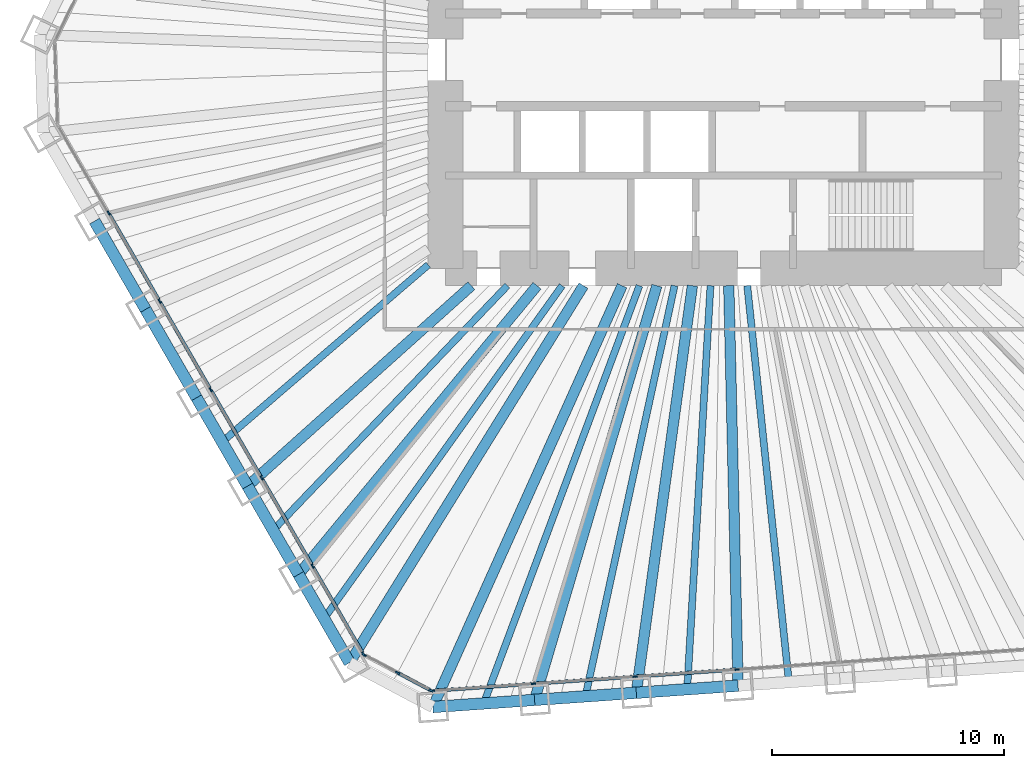
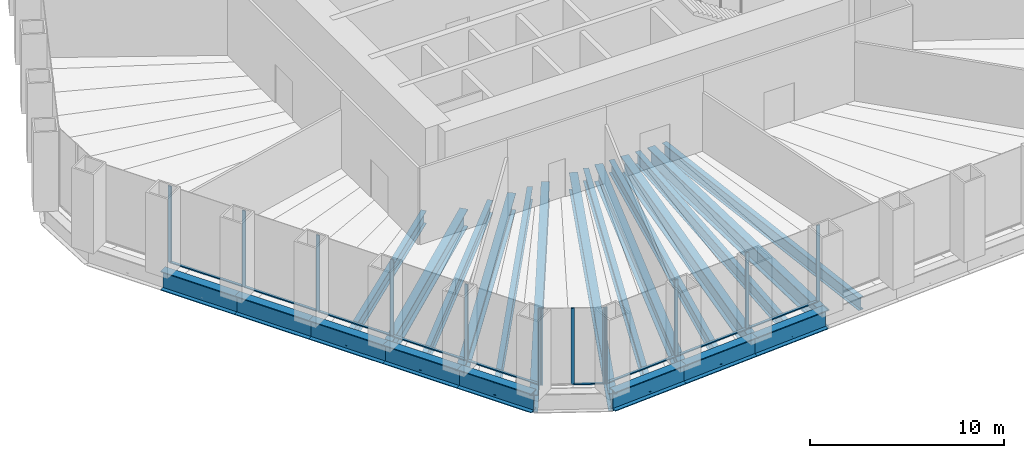
# One storey, part 2 of 13: 22 beams, 22 members, 3 elements without a shape of their own.
"""IFC4 building model written with IfcOpenShell, lengths in metres."""

from ifc_helpers import new_model, si_unit, direction, frame, origin, origin_2d, place, context, subcontext, project, spatial, rectangle, i_section, extrude, material, material_profile, profile_set, type_object, element, aggregate, save


model = new_model("IFC4")

# Units and contexts
model_context = context("Model", 3, precision=1e-05, world=origin(), true_north=direction((0.0, 1.0)))
body_context = subcontext(model_context, "Body", "Model", "MODEL_VIEW")
ifc_project = project(units=[si_unit("LENGTHUNIT", "METRE"), si_unit("AREAUNIT", "SQUARE_METRE"), si_unit("VOLUMEUNIT", "CUBIC_METRE"), si_unit("PLANEANGLEUNIT", "RADIAN"), si_unit("MASSUNIT", "GRAM", prefix="KILO")], contexts=[model_context])

# Site, building, storey
site_placement = place(None, origin())
site = spatial("IfcSite", under=ifc_project, at=site_placement, CompositionType="ELEMENT")
building_placement = place(site_placement, origin())
building = spatial("IfcBuilding", under=site, at=building_placement, Name="Qingtian Harvest Tower", CompositionType="ELEMENT")
storey_placement = place(building_placement, frame((0.0, 0.0, 72.0)))
storey = spatial("IfcBuildingStorey", under=building, at=storey_placement, Name="L14", CompositionType="ELEMENT", Elevation=72.0)

# Beams
ifc_material_1 = material(Name="Steel SM570MC", Category="steel")
ifc_material_profile_1 = material_profile(ifc_material_1, i_section(OverallWidth=0.449951171875, OverallDepth=1.10009765625, WebThickness=0.02197265625, FlangeThickness=0.044921875, at=origin_2d()), Name="H1100x450x22x45")
ifc_profile_set_1 = profile_set([ifc_material_profile_1], Name="Steel SM570MC")
beam_type_1 = type_object("IfcBeamType", Name="Corner floor beam FB8 H1100x450x22x45", PredefinedType="BEAM", material=ifc_profile_set_1)
beam_1_placement = place(storey_placement, frame((-12.552734375, -27.943603515625, -0.75), z_axis=(0.409769605538, 0.912189054077, 0.0), x_axis=(-0.912189054077, 0.409769605538, 0.0)))
element("IfcBeam", 1, at=beam_1_placement, inside=storey, type_object=beam_type_1, Name="Floor beam FB8 S6", PredefinedType="BEAM", context=body_context, shape_type="SweptSolid", body=[
    extrude(i_section(OverallWidth=0.449951171875, OverallDepth=1.10009765625, WebThickness=0.02197265625, FlangeThickness=0.044921875, at=origin_2d()), origin(), (0.0, 0.0, 1.0), 19.945068359375),
])
beam_2_placement = place(storey_placement, frame((-16.14697265625, -26.03271484375, -0.75), z_axis=(0.5270935495, 0.849807266429, 0.0), x_axis=(-0.849807266429, 0.5270935495, 0.0)))
element("IfcBeam", 2, at=beam_2_placement, inside=storey, type_object=beam_type_1, Name="Floor beam FB8 SW0", PredefinedType="BEAM", context=body_context, shape_type="SweptSolid", body=[
    extrude(i_section(OverallWidth=0.449951171875, OverallDepth=1.10009765625, WebThickness=0.02197265625, FlangeThickness=0.044921875, at=origin_2d()), origin(), (0.0, 0.0, 1.0), 19.160400390625),
])
ifc_material_2 = material(Name="Steel SM570MC", Category="steel")
ifc_material_profile_2 = material_profile(ifc_material_2, i_section(OverallWidth=0.449951171875, OverallDepth=1.10009765625, WebThickness=0.02197265625, FlangeThickness=0.044921875, at=origin_2d()), Name="H1100x450x22x45")
ifc_profile_set_2 = profile_set([ifc_material_profile_2], Name="Steel SM570MC")
beam_type_2 = type_object("IfcBeamType", Name="Floor beam FB1 H1100x450x22x45", PredefinedType="BEAM", material=ifc_profile_set_2)
beam_3_placement = place(storey_placement, frame((0.62890625, -27.02197265625, -0.75), z_axis=(-0.023274161941, 0.999729120005, 0.0), x_axis=(-0.999729120005, -0.023274161941, 0.0)))
element("IfcBeam", 3, at=beam_3_placement, inside=storey, type_object=beam_type_2, Name="Floor beam FB1 S3", PredefinedType="BEAM", context=body_context, shape_type="SweptSolid", body=[
    extrude(i_section(OverallWidth=0.449951171875, OverallDepth=1.10009765625, WebThickness=0.02197265625, FlangeThickness=0.044921875, at=origin_2d()), origin(), (0.0, 0.0, 1.0), 17.276611328125),
])
beam_4_placement = place(storey_placement, frame((-3.76513671875, -27.3291015625, -0.75), z_axis=(0.136480966577, 0.990642693287, 0.0), x_axis=(-0.990642693287, 0.136480966577, 0.0)))
element("IfcBeam", 4, at=beam_4_placement, inside=storey, type_object=beam_type_2, Name="Floor beam FB1 S4", PredefinedType="BEAM", context=body_context, shape_type="SweptSolid", body=[
    extrude(i_section(OverallWidth=0.449951171875, OverallDepth=1.10009765625, WebThickness=0.02197265625, FlangeThickness=0.044921875, at=origin_2d()), origin(), (0.0, 0.0, 1.0), 17.7451171875),
])
beam_5_placement = place(storey_placement, frame((-8.158935546875, -27.636474609375, -0.75), z_axis=(0.283142824758, 0.95907775534, 0.0), x_axis=(-0.95907775534, 0.283142824758, 0.0)))
element("IfcBeam", 5, at=beam_5_placement, inside=storey, type_object=beam_type_2, Name="Floor beam FB1 S5", PredefinedType="BEAM", context=body_context, shape_type="SweptSolid", body=[
    extrude(i_section(OverallWidth=0.449951171875, OverallDepth=1.10009765625, WebThickness=0.02197265625, FlangeThickness=0.044921875, at=origin_2d()), origin(), (0.0, 0.0, 1.0), 18.649658203125),
])
beam_6_placement = place(storey_placement, frame((-18.349365234375, -22.21826171875, -0.75), z_axis=(0.636780387972, 0.771045224026, 0.0), x_axis=(-0.771045224026, 0.636780387972, 0.0)))
element("IfcBeam", 6, at=beam_6_placement, inside=storey, type_object=beam_type_2, Name="Floor beam FB1 SW1", PredefinedType="BEAM", context=body_context, shape_type="SweptSolid", body=[
    extrude(i_section(OverallWidth=0.449951171875, OverallDepth=1.10009765625, WebThickness=0.02197265625, FlangeThickness=0.044921875, at=origin_2d()), origin(), (0.0, 0.0, 1.0), 16.170654296875),
])
beam_7_placement = place(storey_placement, frame((-20.551513671875, -18.403564453125, -0.75), z_axis=(0.744965104975, 0.667103434536, 0.0), x_axis=(-0.667103434536, 0.744965104975, 0.0)))
element("IfcBeam", 7, at=beam_7_placement, inside=storey, type_object=beam_type_2, Name="Floor beam FB1 SW2", PredefinedType="BEAM", context=body_context, shape_type="SweptSolid", body=[
    extrude(i_section(OverallWidth=0.449951171875, OverallDepth=1.10009765625, WebThickness=0.02197265625, FlangeThickness=0.044921875, at=origin_2d()), origin(), (0.0, 0.0, 1.0), 12.971923828125),
])
ifc_material_3 = material(Name="Steel SN490B", Category="steel")
ifc_material_profile_3 = material_profile(ifc_material_3, i_section(OverallWidth=0.300048828125, OverallDepth=0.800048828125, WebThickness=0.013916015625, FlangeThickness=0.02587890625, at=origin_2d()), Name="H800x300x14x26")
ifc_profile_set_3 = profile_set([ifc_material_profile_3], Name="Steel SN490B")
beam_type_3 = type_object("IfcBeamType", Name="Floor joist J1 H800x300x14x26", PredefinedType="JOIST", material=ifc_profile_set_3)
beam_8_placement = place(storey_placement, frame((2.82568359375, -26.868408203125, -0.60009765625), z_axis=(-0.104590278152, 0.99451539642, 0.0), x_axis=(-0.99451539642, -0.104590278152, 0.0)))
element("IfcBeam", 8, at=beam_8_placement, inside=storey, type_object=beam_type_3, Name="Floor joist J1 S2", PredefinedType="JOIST", context=body_context, shape_type="SweptSolid", body=[
    extrude(i_section(OverallWidth=0.300048828125, OverallDepth=0.800048828125, WebThickness=0.013916015625, FlangeThickness=0.02587890625, at=origin_2d()), origin(), (0.0, 0.0, 1.0), 17.212890625),
])
beam_9_placement = place(storey_placement, frame((-1.568115234375, -27.175537109375, -0.60009765625), z_axis=(0.057613424947, 0.998338967118, 0.0), x_axis=(-0.998338967118, 0.057613424947, 0.0)))
element("IfcBeam", 9, at=beam_9_placement, inside=storey, type_object=beam_type_3, Name="Floor joist J1 S3", PredefinedType="JOIST", context=body_context, shape_type="SweptSolid", body=[
    extrude(i_section(OverallWidth=0.300048828125, OverallDepth=0.800048828125, WebThickness=0.013916015625, FlangeThickness=0.02587890625, at=origin_2d()), origin(), (0.0, 0.0, 1.0), 17.45458984375),
])
beam_10_placement = place(storey_placement, frame((-5.9619140625, -27.48291015625, -0.60009765625), z_axis=(0.211992805661, 0.977271226604, 0.0), x_axis=(-0.977271226604, 0.211992805661, 0.0)))
element("IfcBeam", 10, at=beam_10_placement, inside=storey, type_object=beam_type_3, Name="Floor joist J1 S4", PredefinedType="JOIST", context=body_context, shape_type="SweptSolid", body=[
    extrude(i_section(OverallWidth=0.300048828125, OverallDepth=0.800048828125, WebThickness=0.013916015625, FlangeThickness=0.02587890625, at=origin_2d()), origin(), (0.0, 0.0, 1.0), 18.145263671875),
])
beam_11_placement = place(storey_placement, frame((-10.35595703125, -27.7900390625, -0.60009765625), z_axis=(0.349193741063, 0.937050548905, 0.0), x_axis=(-0.937050548905, 0.349193741063, 0.0)))
element("IfcBeam", 11, at=beam_11_placement, inside=storey, type_object=beam_type_3, Name="Floor joist J1 S5", PredefinedType="JOIST", context=body_context, shape_type="SweptSolid", body=[
    extrude(i_section(OverallWidth=0.300048828125, OverallDepth=0.800048828125, WebThickness=0.013916015625, FlangeThickness=0.02587890625, at=origin_2d()), origin(), (0.0, 0.0, 1.0), 19.251953125),
])
beam_12_placement = place(storey_placement, frame((-17.248046875, -24.12548828125, -0.60009765625), z_axis=(0.581580544546, 0.81348882611, 0.0), x_axis=(-0.81348882611, 0.581580544546, 0.0)))
element("IfcBeam", 12, at=beam_12_placement, inside=storey, type_object=beam_type_3, Name="Floor joist J1 SW0", PredefinedType="JOIST", context=body_context, shape_type="SweptSolid", body=[
    extrude(i_section(OverallWidth=0.300048828125, OverallDepth=0.800048828125, WebThickness=0.013916015625, FlangeThickness=0.02587890625, at=origin_2d()), origin(), (0.0, 0.0, 1.0), 17.67138671875),
])
beam_13_placement = place(storey_placement, frame((-19.450439453125, -20.31103515625, -0.60009765625), z_axis=(0.691639144398, 0.722243237377, 0.0), x_axis=(-0.722243237377, 0.691639144398, 0.0)))
element("IfcBeam", 13, at=beam_13_placement, inside=storey, type_object=beam_type_3, Name="Floor joist J1 SW1", PredefinedType="JOIST", context=body_context, shape_type="SweptSolid", body=[
    extrude(i_section(OverallWidth=0.300048828125, OverallDepth=0.800048828125, WebThickness=0.013916015625, FlangeThickness=0.02587890625, at=origin_2d()), origin(), (0.0, 0.0, 1.0), 14.62255859375),
])
beam_14_placement = place(storey_placement, frame((-21.652587890625, -16.496337890625, -0.60009765625), z_axis=(0.758605680154, 0.651550014994, 0.0), x_axis=(-0.651550014994, 0.758605680154, 0.0)))
element("IfcBeam", 14, at=beam_14_placement, inside=storey, type_object=beam_type_3, Name="Floor joist J1 SW2", PredefinedType="JOIST", context=body_context, shape_type="SweptSolid", body=[
    extrude(i_section(OverallWidth=0.300048828125, OverallDepth=0.800048828125, WebThickness=0.013916015625, FlangeThickness=0.02587890625, at=origin_2d()), origin(), (0.0, 0.0, 1.0), 11.7353515625),
])

# Curtain wall, members
ifc_material_4 = material(Name="Bronze-anodised aluminium curtain wall", Category="aluminium")
curtain_wall_type = type_object("IfcCurtainWallType", Name="Curtain wall CW2 farm reception", PredefinedType="USERDEFINED", material=ifc_material_4)
curtain_wall_1_placement = place(storey_placement, origin())
curtain_wall_1 = element("IfcCurtainWall", 15, at=curtain_wall_1_placement, inside=storey, type_object=curtain_wall_type, Name="Curtain wall CW2 L14 S0-5", ObjectType="RECESSED CURTAIN WALL", PredefinedType="USERDEFINED")
ifc_material_5 = material(Name="Bronze-anodised aluminium mullion", Category="aluminium")
ifc_material_profile_4 = material_profile(ifc_material_5, rectangle(XDim=0.06494140625, YDim=0.199951171875, at=origin_2d()), Name="AL 65x200")
ifc_profile_set_4 = profile_set([ifc_material_profile_4], Name="Bronze-anodised aluminium mullion")
member_type_1 = type_object("IfcMemberType", Name="Mullion CWM 65x200", PredefinedType="MULLION", material=ifc_profile_set_4)
member_1_placement = place(storey_placement, frame((0.580078125, -26.32373046875, 0.0), z_axis=(0.0, 0.0, 1.0), x_axis=(0.069756473744, -0.99756405026, 0.0)))
member_1 = element("IfcMember", 16, at=member_1_placement, type_object=member_type_1, Name="CW2 mullion 4", PredefinedType="MULLION", context=body_context, shape_type="SweptSolid", body=[
    extrude(rectangle(XDim=0.06494140625, YDim=0.199951171875, at=origin_2d()), origin(), (0.0, 0.0, 1.0), 4.800048828125),
])
member_2_placement = place(storey_placement, frame((-3.81396484375, -26.630859375, 0.0), z_axis=(0.0, 0.0, 1.0), x_axis=(0.069756473744, -0.99756405026, 0.0)))
member_2 = element("IfcMember", 17, at=member_2_placement, type_object=member_type_1, Name="CW2 mullion 5", PredefinedType="MULLION", context=body_context, shape_type="SweptSolid", body=[
    extrude(rectangle(XDim=0.06494140625, YDim=0.199951171875, at=origin_2d()), origin(), (0.0, 0.0, 1.0), 4.800048828125),
])
member_3_placement = place(storey_placement, frame((-8.207763671875, -26.938232421875, 0.0), z_axis=(0.0, 0.0, 1.0), x_axis=(0.069756473744, -0.99756405026, 0.0)))
member_3 = element("IfcMember", 18, at=member_3_placement, type_object=member_type_1, Name="CW2 mullion 6", PredefinedType="MULLION", context=body_context, shape_type="SweptSolid", body=[
    extrude(rectangle(XDim=0.06494140625, YDim=0.199951171875, at=origin_2d()), origin(), (0.0, 0.0, 1.0), 4.800048828125),
])
member_4_placement = place(storey_placement, frame((-12.569091796875, -27.2431640625, 0.0), z_axis=(0.0, 0.0, 1.0), x_axis=(0.069756473744, -0.99756405026, 0.0)))
member_4 = element("IfcMember", 19, at=member_4_placement, type_object=member_type_1, Name="CW2 mullion 7", PredefinedType="MULLION", context=body_context, shape_type="SweptSolid", body=[
    extrude(rectangle(XDim=0.06494140625, YDim=0.199951171875, at=origin_2d()), origin(), (0.0, 0.0, 1.0), 4.800048828125),
])

curtain_wall_2_placement = place(storey_placement, origin())
curtain_wall_2 = element("IfcCurtainWall", 20, at=curtain_wall_2_placement, inside=storey, type_object=curtain_wall_type, Name="Curtain wall CW2 L14 SC", ObjectType="RECESSED CURTAIN WALL", PredefinedType="USERDEFINED")
member_5_placement = place(storey_placement, frame((-12.63037109375, -27.230224609375, 0.0), z_axis=(0.0, 0.0, 1.0), x_axis=(-0.469471562786, -0.882947592859, 0.0)))
member_5 = element("IfcMember", 21, at=member_5_placement, type_object=member_type_1, Name="CW2 mullion 1", PredefinedType="MULLION", context=body_context, shape_type="SweptSolid", body=[
    extrude(rectangle(XDim=0.06494140625, YDim=0.199951171875, at=origin_2d()), origin(), (0.0, 0.0, 1.0), 4.800048828125),
])
member_6_placement = place(storey_placement, frame((-14.0712890625, -26.464111328125, 0.0), z_axis=(0.0, 0.0, 1.0), x_axis=(-0.469471562786, -0.882947592859, 0.0)))
member_6 = element("IfcMember", 22, at=member_6_placement, type_object=member_type_1, Name="CW2 mullion 2", PredefinedType="MULLION", context=body_context, shape_type="SweptSolid", body=[
    extrude(rectangle(XDim=0.06494140625, YDim=0.199951171875, at=origin_2d()), origin(), (0.0, 0.0, 1.0), 4.800048828125),
])
member_7_placement = place(storey_placement, frame((-15.511962890625, -25.697998046875, 0.0), z_axis=(0.0, 0.0, 1.0), x_axis=(-0.469471562786, -0.882947592859, 0.0)))
member_7 = element("IfcMember", 23, at=member_7_placement, type_object=member_type_1, Name="CW2 mullion 3", PredefinedType="MULLION", context=body_context, shape_type="SweptSolid", body=[
    extrude(rectangle(XDim=0.06494140625, YDim=0.199951171875, at=origin_2d()), origin(), (0.0, 0.0, 1.0), 4.800048828125),
])

curtain_wall_3_placement = place(storey_placement, origin())
curtain_wall_3 = element("IfcCurtainWall", 24, at=curtain_wall_3_placement, inside=storey, type_object=curtain_wall_type, Name="Curtain wall CW2 L14 SW0-5", ObjectType="RECESSED CURTAIN WALL", PredefinedType="USERDEFINED")
member_8_placement = place(storey_placement, frame((-15.556884765625, -25.654541015625, 0.0), z_axis=(0.0, 0.0, 1.0), x_axis=(-0.866025403784, -0.5, 0.0)))
member_8 = element("IfcMember", 25, at=member_8_placement, type_object=member_type_1, Name="CW2 mullion 1", PredefinedType="MULLION", context=body_context, shape_type="SweptSolid", body=[
    extrude(rectangle(XDim=0.06494140625, YDim=0.199951171875, at=origin_2d()), origin(), (0.0, 0.0, 1.0), 4.800048828125),
])
member_9_placement = place(storey_placement, frame((-17.742919921875, -21.8681640625, 0.0), z_axis=(0.0, 0.0, 1.0), x_axis=(-0.866025403784, -0.5, 0.0)))
member_9 = element("IfcMember", 26, at=member_9_placement, type_object=member_type_1, Name="CW2 mullion 2", PredefinedType="MULLION", context=body_context, shape_type="SweptSolid", body=[
    extrude(rectangle(XDim=0.06494140625, YDim=0.199951171875, at=origin_2d()), origin(), (0.0, 0.0, 1.0), 4.800048828125),
])
member_10_placement = place(storey_placement, frame((-19.9453125, -18.0537109375, 0.0), z_axis=(0.0, 0.0, 1.0), x_axis=(-0.866025403784, -0.5, 0.0)))
member_10 = element("IfcMember", 27, at=member_10_placement, type_object=member_type_1, Name="CW2 mullion 3", PredefinedType="MULLION", context=body_context, shape_type="SweptSolid", body=[
    extrude(rectangle(XDim=0.06494140625, YDim=0.199951171875, at=origin_2d()), origin(), (0.0, 0.0, 1.0), 4.800048828125),
])
member_11_placement = place(storey_placement, frame((-22.147705078125, -14.2392578125, 0.0), z_axis=(0.0, 0.0, 1.0), x_axis=(-0.866025403784, -0.5, 0.0)))
member_11 = element("IfcMember", 28, at=member_11_placement, type_object=member_type_1, Name="CW2 mullion 4", PredefinedType="MULLION", context=body_context, shape_type="SweptSolid", body=[
    extrude(rectangle(XDim=0.06494140625, YDim=0.199951171875, at=origin_2d()), origin(), (0.0, 0.0, 1.0), 4.800048828125),
])
member_12_placement = place(storey_placement, frame((-24.349853515625, -10.424560546875, 0.0), z_axis=(0.0, 0.0, 1.0), x_axis=(-0.866025403784, -0.5, 0.0)))
member_12 = element("IfcMember", 29, at=member_12_placement, type_object=member_type_1, Name="CW2 mullion 5", PredefinedType="MULLION", context=body_context, shape_type="SweptSolid", body=[
    extrude(rectangle(XDim=0.06494140625, YDim=0.199951171875, at=origin_2d()), origin(), (0.0, 0.0, 1.0), 4.800048828125),
])
member_13_placement = place(storey_placement, frame((-26.55224609375, -6.610107421875, 0.0), z_axis=(0.0, 0.0, 1.0), x_axis=(-0.866025403784, -0.5, 0.0)))
member_13 = element("IfcMember", 30, at=member_13_placement, type_object=member_type_1, Name="CW2 mullion 6", PredefinedType="MULLION", context=body_context, shape_type="SweptSolid", body=[
    extrude(rectangle(XDim=0.06494140625, YDim=0.199951171875, at=origin_2d()), origin(), (0.0, 0.0, 1.0), 4.800048828125),
])

# Beams
ifc_material_6 = material(Name="Steel SM570MC", Category="steel")
ifc_material_profile_5 = material_profile(ifc_material_6, i_section(OverallWidth=0.5, OverallDepth=1.199951171875, WebThickness=0.02490234375, FlangeThickness=0.050048828125, at=origin_2d()), Name="H1200x500x25x50")
ifc_profile_set_5 = profile_set([ifc_material_profile_5], Name="Steel SM570MC")
beam_type_4 = type_object("IfcBeamType", Name="Spandrel beam SB1 H1200x500x25x50", PredefinedType="SPANDREL", material=ifc_profile_set_5)
beam_15_placement = place(storey_placement, frame((0.62890625, -27.02197265625, -0.60009765625), z_axis=(-0.997566143208, -0.069726536735, 0.0), x_axis=(0.069726536735, -0.997566143208, 0.0)))
element("IfcBeam", 31, at=beam_15_placement, inside=storey, type_object=beam_type_4, Name="Spandrel SB1 S3", PredefinedType="SPANDREL", context=body_context, shape_type="SweptSolid", body=[
    extrude(i_section(OverallWidth=0.5, OverallDepth=1.199951171875, WebThickness=0.02490234375, FlangeThickness=0.050048828125, at=origin_2d()), origin(), (0.0, 0.0, 1.0), 4.40478515625),
])
for number, where, z_axis, x_axis, name in (
    (32, (-3.76513671875, -27.3291015625, -0.60009765625), (-0.997562016486, -0.069785551967, 0.0), (0.069785551967, -0.997562016486, 0.0), "Spandrel SB1 S4"),
    (33, (-8.158935546875, -27.636474609375, -0.60009765625), (-0.997565873714, -0.069730392239, 0.0), (0.069730392239, -0.997565873714, 0.0), "Spandrel SB1 S5"),
    (34, (-16.14697265625, -26.03271484375, -0.60009765625), (-0.50001992892, 0.866013897511, 0.0), (-0.866013897511, -0.50001992892, 0.0), "Spandrel SB1 SW0"),
):
    element("IfcBeam", number, at=place(storey_placement, frame(where, z_axis=z_axis, x_axis=x_axis)), inside=storey, type_object=beam_type_4, Name=name, PredefinedType="SPANDREL", context=body_context, shape_type="SweptSolid", body=[
        extrude(i_section(OverallWidth=0.5, OverallDepth=1.199951171875, WebThickness=0.02490234375, FlangeThickness=0.050048828125, at=origin_2d()), origin(), (0.0, 0.0, 1.0), 4.404541015625),
    ])
beam_16_placement = place(storey_placement, frame((-18.349365234375, -22.21826171875, -0.60009765625), z_axis=(-0.499954356739, 0.86605175433, 0.0), x_axis=(-0.86605175433, -0.499954356739, 0.0)))
element("IfcBeam", 35, at=beam_16_placement, inside=storey, type_object=beam_type_4, Name="Spandrel SB1 SW1", PredefinedType="SPANDREL", context=body_context, shape_type="SweptSolid", body=[
    extrude(i_section(OverallWidth=0.5, OverallDepth=1.199951171875, WebThickness=0.02490234375, FlangeThickness=0.050048828125, at=origin_2d()), origin(), (0.0, 0.0, 1.0), 4.40478515625),
])
for number, where, z_axis, x_axis, name in (
    (36, (-20.551513671875, -18.403564453125, -0.60009765625), (-0.50001992892, 0.866013897511, 0.0), (-0.866013897511, -0.50001992892, 0.0), "Spandrel SB1 SW2"),
    (37, (-22.75390625, -14.589111328125, -0.60009765625), (-0.499978356969, 0.866037899034, 0.0), (-0.866037899034, -0.499978356969, 0.0), "Spandrel SB1 SW3"),
    (38, (-24.9560546875, -10.774658203125, -0.60009765625), (-0.50001992892, 0.866013897511, 0.0), (-0.866013897511, -0.50001992892, 0.0), "Spandrel SB1 SW4"),
):
    element("IfcBeam", number, at=place(storey_placement, frame(where, z_axis=z_axis, x_axis=x_axis)), inside=storey, type_object=beam_type_4, Name=name, PredefinedType="SPANDREL", context=body_context, shape_type="SweptSolid", body=[
        extrude(i_section(OverallWidth=0.5, OverallDepth=1.199951171875, WebThickness=0.02490234375, FlangeThickness=0.050048828125, at=origin_2d()), origin(), (0.0, 0.0, 1.0), 4.404541015625),
    ])

# Member
ifc_material_7 = material(Name="Bronze-anodised aluminium transom", Category="aluminium")
ifc_material_profile_6 = material_profile(ifc_material_7, rectangle(XDim=0.14990234375, YDim=0.06494140625, at=origin_2d()), Name="AL 65x150")
ifc_profile_set_6 = profile_set([ifc_material_profile_6], Name="Bronze-anodised aluminium transom")
member_type_2 = type_object("IfcMemberType", Name="Transom CWT 65x150", PredefinedType="USERDEFINED", material=ifc_profile_set_6)
member_14_placement = place(storey_placement, frame((0.547607421875, -26.325927734375, 0.032470703125), z_axis=(-0.997563824095, -0.069759707979, 0.0), x_axis=(0.069759707979, -0.997563824095, 0.0)))
member_14 = element("IfcMember", 39, at=member_14_placement, type_object=member_type_2, Name="CW2 transom 4.1", ObjectType="TRANSOM", PredefinedType="USERDEFINED", context=body_context, shape_type="SweptSolid", body=[
    extrude(rectangle(XDim=0.14990234375, YDim=0.06494140625, at=origin_2d()), origin(), (0.0, 0.0, 1.0), 4.339599609375),
])

member_15_placement = place(storey_placement, frame((-3.84619140625, -26.63330078125, 0.032470703125), z_axis=(-0.997567737508, -0.069703723594, 0.0), x_axis=(0.069703723594, -0.997567737508, 0.0)))
member_15 = element("IfcMember", 40, at=member_15_placement, type_object=member_type_2, Name="CW2 transom 5.1", ObjectType="TRANSOM", PredefinedType="USERDEFINED", context=body_context, shape_type="SweptSolid", body=[
    extrude(rectangle(XDim=0.14990234375, YDim=0.06494140625, at=origin_2d()), origin(), (0.0, 0.0, 1.0), 4.339599609375),
])

member_16_placement = place(storey_placement, frame((-8.240234375, -26.9404296875, 0.032470703125), z_axis=(-0.997562637827, -0.069776669536, 0.0), x_axis=(0.069776669536, -0.997562637827, 0.0)))
member_16 = element("IfcMember", 41, at=member_16_placement, type_object=member_type_2, Name="CW2 transom 6.1", ObjectType="TRANSOM", PredefinedType="USERDEFINED", context=body_context, shape_type="SweptSolid", body=[
    extrude(rectangle(XDim=0.14990234375, YDim=0.06494140625, at=origin_2d()), origin(), (0.0, 0.0, 1.0), 4.30712890625),
])

aggregate(curtain_wall_1, [member_1, member_2, member_3, member_4, member_14, member_15, member_16])

member_17_placement = place(storey_placement, frame((-12.658935546875, -27.21484375, 0.032470703125), z_axis=(-0.882960338349, 0.46944759122, 0.0), x_axis=(-0.46944759122, -0.882960338349, 0.0)))
member_17 = element("IfcMember", 42, at=member_17_placement, type_object=member_type_2, Name="CW2 transom 1.1", ObjectType="TRANSOM", PredefinedType="USERDEFINED", context=body_context, shape_type="SweptSolid", body=[
    extrude(rectangle(XDim=0.14990234375, YDim=0.06494140625, at=origin_2d()), origin(), (0.0, 0.0, 1.0), 1.56689453125),
])

aggregate(curtain_wall_2, [member_5, member_6, member_7, member_17])

member_18_placement = place(storey_placement, frame((-15.5732421875, -25.62646484375, 0.032470703125), z_axis=(-0.499985768833, 0.866033619997, 0.0), x_axis=(-0.866033619997, -0.499985768833, 0.0)))
member_18 = element("IfcMember", 43, at=member_18_placement, type_object=member_type_2, Name="CW2 transom 1.1", ObjectType="TRANSOM", PredefinedType="USERDEFINED", context=body_context, shape_type="SweptSolid", body=[
    extrude(rectangle(XDim=0.14990234375, YDim=0.06494140625, at=origin_2d()), origin(), (0.0, 0.0, 1.0), 4.307373046875),
])

member_19_placement = place(storey_placement, frame((-17.75927734375, -21.840087890625, 0.032470703125), z_axis=(-0.500011390128, 0.866018827591, 0.0), x_axis=(-0.866018827591, -0.500011390128, 0.0)))
member_19 = element("IfcMember", 44, at=member_19_placement, type_object=member_type_2, Name="CW2 transom 2.1", ObjectType="TRANSOM", PredefinedType="USERDEFINED", context=body_context, shape_type="SweptSolid", body=[
    extrude(rectangle(XDim=0.14990234375, YDim=0.06494140625, at=origin_2d()), origin(), (0.0, 0.0, 1.0), 4.33984375),
])

member_20_placement = place(storey_placement, frame((-19.961669921875, -18.025634765625, 0.032470703125), z_axis=(-0.499969196308, 0.866043187574, 0.0), x_axis=(-0.866043187574, -0.499969196308, 0.0)))
member_20 = element("IfcMember", 45, at=member_20_placement, type_object=member_type_2, Name="CW2 transom 3.1", ObjectType="TRANSOM", PredefinedType="USERDEFINED", context=body_context, shape_type="SweptSolid", body=[
    extrude(rectangle(XDim=0.14990234375, YDim=0.06494140625, at=origin_2d()), origin(), (0.0, 0.0, 1.0), 4.339599609375),
])

member_21_placement = place(storey_placement, frame((-22.163818359375, -14.2109375, 0.032470703125), z_axis=(-0.500035751442, 0.866004761696, 0.0), x_axis=(-0.866004761696, -0.500035751442, 0.0)))
member_21 = element("IfcMember", 46, at=member_21_placement, type_object=member_type_2, Name="CW2 transom 4.1", ObjectType="TRANSOM", PredefinedType="USERDEFINED", context=body_context, shape_type="SweptSolid", body=[
    extrude(rectangle(XDim=0.14990234375, YDim=0.06494140625, at=origin_2d()), origin(), (0.0, 0.0, 1.0), 4.339599609375),
])

member_22_placement = place(storey_placement, frame((-24.3662109375, -10.396484375, 0.032470703125), z_axis=(-0.499993556937, 0.866029123656, 0.0), x_axis=(-0.866029123656, -0.499993556937, 0.0)))
member_22 = element("IfcMember", 47, at=member_22_placement, type_object=member_type_2, Name="CW2 transom 5.1", ObjectType="TRANSOM", PredefinedType="USERDEFINED", context=body_context, shape_type="SweptSolid", body=[
    extrude(rectangle(XDim=0.14990234375, YDim=0.06494140625, at=origin_2d()), origin(), (0.0, 0.0, 1.0), 4.33935546875),
])

aggregate(curtain_wall_3, [member_8, member_9, member_10, member_11, member_12, member_13, member_18, member_19, member_20, member_21, member_22])

save(model, "model.ifc")
